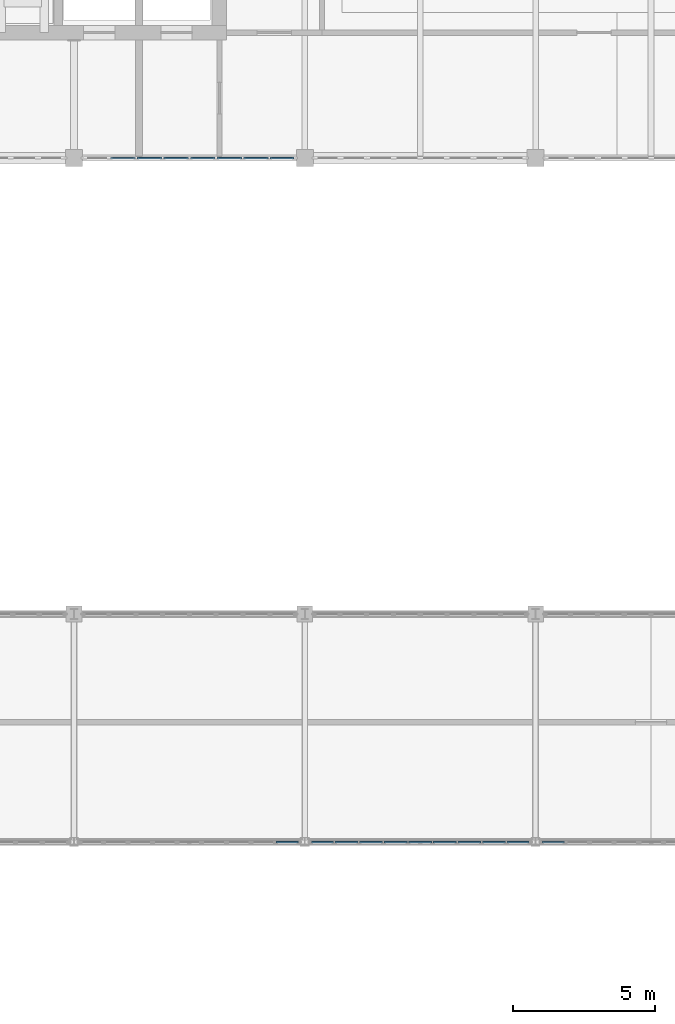
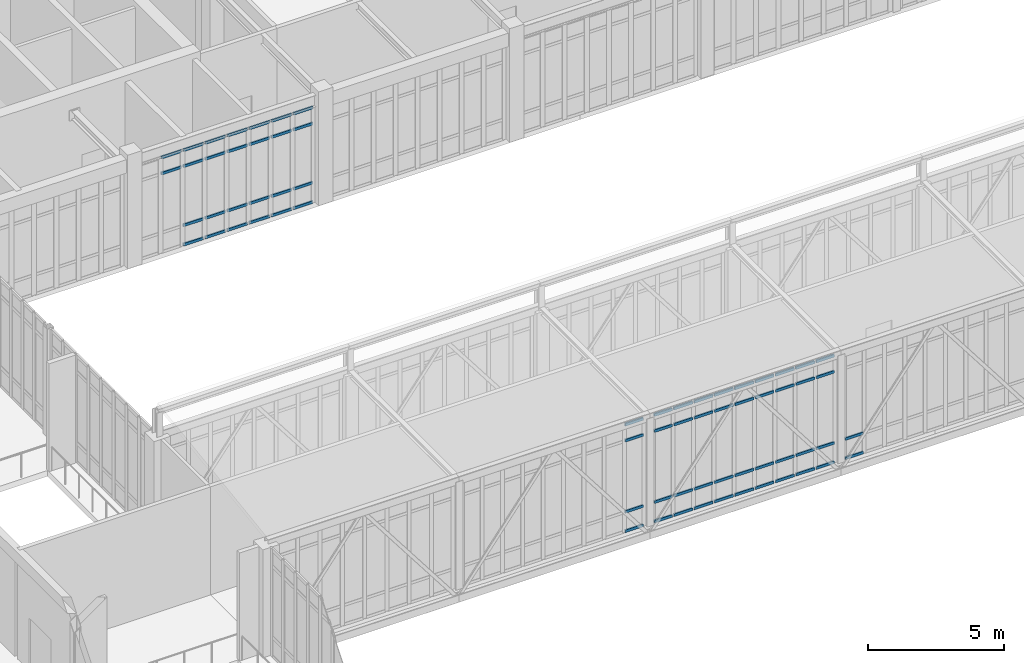
# One storey, part 56 of 107: 68 members, 4 elements without a shape of their own.
"""IFC4 building model written with IfcOpenShell, lengths in metres."""

from ifc_helpers import new_model, si_unit, direction, frame, origin, origin_2d, place, context, subcontext, project, spatial, rectangle, extrude, material, material_profile, profile_set, type_object, element, aggregate, save


model = new_model("IFC4")

# Units and contexts
model_context = context("Model", 3, precision=1e-05, world=origin(), true_north=direction((0.0, 1.0)))
body_context = subcontext(model_context, "Body", "Model", "MODEL_VIEW")
ifc_project = project(units=[si_unit("LENGTHUNIT", "METRE"), si_unit("AREAUNIT", "SQUARE_METRE"), si_unit("VOLUMEUNIT", "CUBIC_METRE"), si_unit("PLANEANGLEUNIT", "RADIAN"), si_unit("MASSUNIT", "GRAM", prefix="KILO")], contexts=[model_context])

# Site, building, storey
site_placement = place(None, origin())
site = spatial("IfcSite", under=ifc_project, at=site_placement, CompositionType="ELEMENT")
building_placement = place(site_placement, origin())
building = spatial("IfcBuilding", under=site, at=building_placement, Name="Tarnveldt Square Police Headquarters", CompositionType="ELEMENT")
storey_placement = place(building_placement, frame((0.0, 0.0, 14.699951171875)))
storey = spatial("IfcBuildingStorey", under=building, at=storey_placement, Name="L03", CompositionType="ELEMENT", Elevation=14.699951171875)

# Curtain wall, members
ifc_material_1 = material(Name="Triple-glazed low-e laminated vision glass", Category="glass")
curtain_wall_type_1 = type_object("IfcCurtainWallType", Name="CW-LB-747x430", PredefinedType="USERDEFINED", material=ifc_material_1)
curtain_wall_1_placement = place(storey_placement, origin())
curtain_wall_1 = element("IfcCurtainWall", 1, at=curtain_wall_1_placement, inside=storey, type_object=curtain_wall_type_1, Name="L03 Curtain Wall CW-L03-120", ObjectType="GLAZED CURTAIN WALL", PredefinedType="USERDEFINED")
ifc_material_2 = material(Name="Thermally broken anodised aluminium 6063-T6", Category="aluminium")
ifc_material_profile = material_profile(ifc_material_2, rectangle(XDim=0.06494140625, YDim=0.1201171875, at=origin_2d()), Name="CW-T65x120")
ifc_profile_set = profile_set([ifc_material_profile], Name="Thermally broken anodised aluminium 6063-T6")
member_type = type_object("IfcMemberType", Name="CWT-65x120", PredefinedType="USERDEFINED", material=ifc_profile_set)
member_1_placement = place(storey_placement, frame((57.986328125, 96.0, 3.549072265625), z_axis=(1.0, 0.0, 0.0), x_axis=(0.0, 1.0, 0.0)))
member_1 = element("IfcMember", 2, at=member_1_placement, type_object=member_type, Name="CW-LB71 transom 2.3", ObjectType="TRANSOM", PredefinedType="USERDEFINED", context=body_context, shape_type="SweptSolid", body=[
    extrude(rectangle(XDim=0.06494140625, YDim=0.1201171875, at=origin_2d()), origin(), (0.0, 0.0, 1.0), 0.858642578125),
])
member_2_placement = place(storey_placement, frame((57.986328125, 96.0, 4.2666015625), z_axis=(1.0, 0.0, 0.0), x_axis=(0.0, 1.0, 0.0)))
member_2 = element("IfcMember", 3, at=member_2_placement, type_object=member_type, Name="CW-LB71 transom 2.4", ObjectType="TRANSOM", PredefinedType="USERDEFINED", context=body_context, shape_type="SweptSolid", body=[
    extrude(rectangle(XDim=0.06494140625, YDim=0.1201171875, at=origin_2d()), origin(), (0.0, 0.0, 1.0), 0.858642578125),
])
member_3_placement = place(storey_placement, frame((58.919921875, 96.0, 0.032470703125), z_axis=(1.0, 0.0, 0.0), x_axis=(0.0, 1.0, 0.0)))
member_3 = element("IfcMember", 4, at=member_3_placement, type_object=member_type, Name="CW-LB71 transom 3.1", ObjectType="TRANSOM", PredefinedType="USERDEFINED", context=body_context, shape_type="SweptSolid", body=[
    extrude(rectangle(XDim=0.06494140625, YDim=0.1201171875, at=origin_2d()), origin(), (0.0, 0.0, 1.0), 0.85888671875),
])
member_4_placement = place(storey_placement, frame((58.919921875, 96.0, 0.900146484375), z_axis=(1.0, 0.0, 0.0), x_axis=(0.0, 1.0, 0.0)))
member_4 = element("IfcMember", 5, at=member_4_placement, type_object=member_type, Name="CW-LB71 transom 3.2", ObjectType="TRANSOM", PredefinedType="USERDEFINED", context=body_context, shape_type="SweptSolid", body=[
    extrude(rectangle(XDim=0.06494140625, YDim=0.1201171875, at=origin_2d()), origin(), (0.0, 0.0, 1.0), 0.85888671875),
])
member_5_placement = place(storey_placement, frame((58.919921875, 96.0, 3.549072265625), z_axis=(1.0, 0.0, 0.0), x_axis=(0.0, 1.0, 0.0)))
member_5 = element("IfcMember", 6, at=member_5_placement, type_object=member_type, Name="CW-LB71 transom 3.3", ObjectType="TRANSOM", PredefinedType="USERDEFINED", context=body_context, shape_type="SweptSolid", body=[
    extrude(rectangle(XDim=0.06494140625, YDim=0.1201171875, at=origin_2d()), origin(), (0.0, 0.0, 1.0), 0.85888671875),
])
member_6_placement = place(storey_placement, frame((58.919921875, 96.0, 4.2666015625), z_axis=(1.0, 0.0, 0.0), x_axis=(0.0, 1.0, 0.0)))
member_6 = element("IfcMember", 7, at=member_6_placement, type_object=member_type, Name="CW-LB71 transom 3.4", ObjectType="TRANSOM", PredefinedType="USERDEFINED", context=body_context, shape_type="SweptSolid", body=[
    extrude(rectangle(XDim=0.06494140625, YDim=0.1201171875, at=origin_2d()), origin(), (0.0, 0.0, 1.0), 0.85888671875),
])
member_7_placement = place(storey_placement, frame((59.853759765625, 96.0, 0.032470703125), z_axis=(1.0, 0.0, 0.0), x_axis=(0.0, 1.0, 0.0)))
member_7 = element("IfcMember", 8, at=member_7_placement, type_object=member_type, Name="CW-LB71 transom 4.1", ObjectType="TRANSOM", PredefinedType="USERDEFINED", context=body_context, shape_type="SweptSolid", body=[
    extrude(rectangle(XDim=0.06494140625, YDim=0.1201171875, at=origin_2d()), origin(), (0.0, 0.0, 1.0), 0.858642578125),
])
member_8_placement = place(storey_placement, frame((59.853759765625, 96.0, 0.900146484375), z_axis=(1.0, 0.0, 0.0), x_axis=(0.0, 1.0, 0.0)))
member_8 = element("IfcMember", 9, at=member_8_placement, type_object=member_type, Name="CW-LB71 transom 4.2", ObjectType="TRANSOM", PredefinedType="USERDEFINED", context=body_context, shape_type="SweptSolid", body=[
    extrude(rectangle(XDim=0.06494140625, YDim=0.1201171875, at=origin_2d()), origin(), (0.0, 0.0, 1.0), 0.858642578125),
])
member_9_placement = place(storey_placement, frame((59.853759765625, 96.0, 3.549072265625), z_axis=(1.0, 0.0, 0.0), x_axis=(0.0, 1.0, 0.0)))
member_9 = element("IfcMember", 10, at=member_9_placement, type_object=member_type, Name="CW-LB71 transom 4.3", ObjectType="TRANSOM", PredefinedType="USERDEFINED", context=body_context, shape_type="SweptSolid", body=[
    extrude(rectangle(XDim=0.06494140625, YDim=0.1201171875, at=origin_2d()), origin(), (0.0, 0.0, 1.0), 0.858642578125),
])
member_10_placement = place(storey_placement, frame((59.853759765625, 96.0, 4.2666015625), z_axis=(1.0, 0.0, 0.0), x_axis=(0.0, 1.0, 0.0)))
member_10 = element("IfcMember", 11, at=member_10_placement, type_object=member_type, Name="CW-LB71 transom 4.4", ObjectType="TRANSOM", PredefinedType="USERDEFINED", context=body_context, shape_type="SweptSolid", body=[
    extrude(rectangle(XDim=0.06494140625, YDim=0.1201171875, at=origin_2d()), origin(), (0.0, 0.0, 1.0), 0.858642578125),
])
member_11_placement = place(storey_placement, frame((60.78759765625, 96.0, 0.032470703125), z_axis=(1.0, 0.0, 0.0), x_axis=(0.0, 1.0, 0.0)))
member_11 = element("IfcMember", 12, at=member_11_placement, type_object=member_type, Name="CW-LB71 transom 5.1", ObjectType="TRANSOM", PredefinedType="USERDEFINED", context=body_context, shape_type="SweptSolid", body=[
    extrude(rectangle(XDim=0.06494140625, YDim=0.1201171875, at=origin_2d()), origin(), (0.0, 0.0, 1.0), 0.858642578125),
])
member_12_placement = place(storey_placement, frame((60.78759765625, 96.0, 0.900146484375), z_axis=(1.0, 0.0, 0.0), x_axis=(0.0, 1.0, 0.0)))
member_12 = element("IfcMember", 13, at=member_12_placement, type_object=member_type, Name="CW-LB71 transom 5.2", ObjectType="TRANSOM", PredefinedType="USERDEFINED", context=body_context, shape_type="SweptSolid", body=[
    extrude(rectangle(XDim=0.06494140625, YDim=0.1201171875, at=origin_2d()), origin(), (0.0, 0.0, 1.0), 0.858642578125),
])
member_13_placement = place(storey_placement, frame((60.78759765625, 96.0, 3.549072265625), z_axis=(1.0, 0.0, 0.0), x_axis=(0.0, 1.0, 0.0)))
member_13 = element("IfcMember", 14, at=member_13_placement, type_object=member_type, Name="CW-LB71 transom 5.3", ObjectType="TRANSOM", PredefinedType="USERDEFINED", context=body_context, shape_type="SweptSolid", body=[
    extrude(rectangle(XDim=0.06494140625, YDim=0.1201171875, at=origin_2d()), origin(), (0.0, 0.0, 1.0), 0.858642578125),
])
member_14_placement = place(storey_placement, frame((60.78759765625, 96.0, 4.2666015625), z_axis=(1.0, 0.0, 0.0), x_axis=(0.0, 1.0, 0.0)))
member_14 = element("IfcMember", 15, at=member_14_placement, type_object=member_type, Name="CW-LB71 transom 5.4", ObjectType="TRANSOM", PredefinedType="USERDEFINED", context=body_context, shape_type="SweptSolid", body=[
    extrude(rectangle(XDim=0.06494140625, YDim=0.1201171875, at=origin_2d()), origin(), (0.0, 0.0, 1.0), 0.858642578125),
])
member_15_placement = place(storey_placement, frame((61.72119140625, 96.0, 0.032470703125), z_axis=(1.0, 0.0, 0.0), x_axis=(0.0, 1.0, 0.0)))
member_15 = element("IfcMember", 16, at=member_15_placement, type_object=member_type, Name="CW-LB71 transom 6.1", ObjectType="TRANSOM", PredefinedType="USERDEFINED", context=body_context, shape_type="SweptSolid", body=[
    extrude(rectangle(XDim=0.06494140625, YDim=0.1201171875, at=origin_2d()), origin(), (0.0, 0.0, 1.0), 0.85888671875),
])
member_16_placement = place(storey_placement, frame((61.72119140625, 96.0, 0.900146484375), z_axis=(1.0, 0.0, 0.0), x_axis=(0.0, 1.0, 0.0)))
member_16 = element("IfcMember", 17, at=member_16_placement, type_object=member_type, Name="CW-LB71 transom 6.2", ObjectType="TRANSOM", PredefinedType="USERDEFINED", context=body_context, shape_type="SweptSolid", body=[
    extrude(rectangle(XDim=0.06494140625, YDim=0.1201171875, at=origin_2d()), origin(), (0.0, 0.0, 1.0), 0.85888671875),
])
member_17_placement = place(storey_placement, frame((61.72119140625, 96.0, 3.549072265625), z_axis=(1.0, 0.0, 0.0), x_axis=(0.0, 1.0, 0.0)))
member_17 = element("IfcMember", 18, at=member_17_placement, type_object=member_type, Name="CW-LB71 transom 6.3", ObjectType="TRANSOM", PredefinedType="USERDEFINED", context=body_context, shape_type="SweptSolid", body=[
    extrude(rectangle(XDim=0.06494140625, YDim=0.1201171875, at=origin_2d()), origin(), (0.0, 0.0, 1.0), 0.85888671875),
])
member_18_placement = place(storey_placement, frame((61.72119140625, 96.0, 4.2666015625), z_axis=(1.0, 0.0, 0.0), x_axis=(0.0, 1.0, 0.0)))
member_18 = element("IfcMember", 19, at=member_18_placement, type_object=member_type, Name="CW-LB71 transom 6.4", ObjectType="TRANSOM", PredefinedType="USERDEFINED", context=body_context, shape_type="SweptSolid", body=[
    extrude(rectangle(XDim=0.06494140625, YDim=0.1201171875, at=origin_2d()), origin(), (0.0, 0.0, 1.0), 0.85888671875),
])
member_19_placement = place(storey_placement, frame((62.655029296875, 96.0, 0.032470703125), z_axis=(1.0, 0.0, 0.0), x_axis=(0.0, 1.0, 0.0)))
member_19 = element("IfcMember", 20, at=member_19_placement, type_object=member_type, Name="CW-LB71 transom 7.1", ObjectType="TRANSOM", PredefinedType="USERDEFINED", context=body_context, shape_type="SweptSolid", body=[
    extrude(rectangle(XDim=0.06494140625, YDim=0.1201171875, at=origin_2d()), origin(), (0.0, 0.0, 1.0), 0.858642578125),
])
member_20_placement = place(storey_placement, frame((62.655029296875, 96.0, 0.900146484375), z_axis=(1.0, 0.0, 0.0), x_axis=(0.0, 1.0, 0.0)))
member_20 = element("IfcMember", 21, at=member_20_placement, type_object=member_type, Name="CW-LB71 transom 7.2", ObjectType="TRANSOM", PredefinedType="USERDEFINED", context=body_context, shape_type="SweptSolid", body=[
    extrude(rectangle(XDim=0.06494140625, YDim=0.1201171875, at=origin_2d()), origin(), (0.0, 0.0, 1.0), 0.858642578125),
])
member_21_placement = place(storey_placement, frame((62.655029296875, 96.0, 3.549072265625), z_axis=(1.0, 0.0, 0.0), x_axis=(0.0, 1.0, 0.0)))
member_21 = element("IfcMember", 22, at=member_21_placement, type_object=member_type, Name="CW-LB71 transom 7.3", ObjectType="TRANSOM", PredefinedType="USERDEFINED", context=body_context, shape_type="SweptSolid", body=[
    extrude(rectangle(XDim=0.06494140625, YDim=0.1201171875, at=origin_2d()), origin(), (0.0, 0.0, 1.0), 0.858642578125),
])
member_22_placement = place(storey_placement, frame((62.655029296875, 96.0, 4.2666015625), z_axis=(1.0, 0.0, 0.0), x_axis=(0.0, 1.0, 0.0)))
member_22 = element("IfcMember", 23, at=member_22_placement, type_object=member_type, Name="CW-LB71 transom 7.4", ObjectType="TRANSOM", PredefinedType="USERDEFINED", context=body_context, shape_type="SweptSolid", body=[
    extrude(rectangle(XDim=0.06494140625, YDim=0.1201171875, at=origin_2d()), origin(), (0.0, 0.0, 1.0), 0.858642578125),
])
member_23_placement = place(storey_placement, frame((63.5888671875, 96.0, 0.032470703125), z_axis=(1.0, 0.0, 0.0), x_axis=(0.0, 1.0, 0.0)))
member_23 = element("IfcMember", 24, at=member_23_placement, type_object=member_type, Name="CW-LB71 transom 8.1", ObjectType="TRANSOM", PredefinedType="USERDEFINED", context=body_context, shape_type="SweptSolid", body=[
    extrude(rectangle(XDim=0.06494140625, YDim=0.1201171875, at=origin_2d()), origin(), (0.0, 0.0, 1.0), 0.821044921875),
])
member_24_placement = place(storey_placement, frame((63.5888671875, 96.0, 0.900146484375), z_axis=(1.0, 0.0, 0.0), x_axis=(0.0, 1.0, 0.0)))
member_24 = element("IfcMember", 25, at=member_24_placement, type_object=member_type, Name="CW-LB71 transom 8.2", ObjectType="TRANSOM", PredefinedType="USERDEFINED", context=body_context, shape_type="SweptSolid", body=[
    extrude(rectangle(XDim=0.06494140625, YDim=0.1201171875, at=origin_2d()), origin(), (0.0, 0.0, 1.0), 0.821044921875),
])
member_25_placement = place(storey_placement, frame((63.5888671875, 96.0, 3.549072265625), z_axis=(1.0, 0.0, 0.0), x_axis=(0.0, 1.0, 0.0)))
member_25 = element("IfcMember", 26, at=member_25_placement, type_object=member_type, Name="CW-LB71 transom 8.3", ObjectType="TRANSOM", PredefinedType="USERDEFINED", context=body_context, shape_type="SweptSolid", body=[
    extrude(rectangle(XDim=0.06494140625, YDim=0.1201171875, at=origin_2d()), origin(), (0.0, 0.0, 1.0), 0.821044921875),
])
member_26_placement = place(storey_placement, frame((63.5888671875, 96.0, 4.2666015625), z_axis=(1.0, 0.0, 0.0), x_axis=(0.0, 1.0, 0.0)))
member_26 = element("IfcMember", 27, at=member_26_placement, type_object=member_type, Name="CW-LB71 transom 8.4", ObjectType="TRANSOM", PredefinedType="USERDEFINED", context=body_context, shape_type="SweptSolid", body=[
    extrude(rectangle(XDim=0.06494140625, YDim=0.1201171875, at=origin_2d()), origin(), (0.0, 0.0, 1.0), 0.821044921875),
])
aggregate(curtain_wall_1, [member_1, member_2, member_3, member_4, member_5, member_6, member_7, member_8, member_9, member_10, member_11, member_12, member_13, member_14, member_15, member_16, member_17, member_18, member_19, member_20, member_21, member_22, member_23, member_24, member_25, member_26])

curtain_wall_type_2 = type_object("IfcCurtainWallType", Name="CW-SB-776x484", PredefinedType="USERDEFINED", material=ifc_material_1)
curtain_wall_2_placement = place(storey_placement, origin())
curtain_wall_2 = element("IfcCurtainWall", 28, at=curtain_wall_2_placement, inside=storey, type_object=curtain_wall_type_2, Name="L03 Curtain Wall CW-L03-153", ObjectType="GLAZED CURTAIN WALL", PredefinedType="USERDEFINED")
member_27_placement = place(storey_placement, frame((63.801025390625, 72.0, 0.032470703125), z_axis=(1.0, 0.0, 0.0), x_axis=(0.0, 1.0, 0.0)))
member_27 = element("IfcMember", 29, at=member_27_placement, type_object=member_type, Name="CW-SB90 transom 9.1", ObjectType="TRANSOM", PredefinedType="USERDEFINED", context=body_context, shape_type="SweptSolid", body=[
    extrude(rectangle(XDim=0.06494140625, YDim=0.1201171875, at=origin_2d()), origin(), (0.0, 0.0, 1.0), 0.764892578125),
])
member_28_placement = place(storey_placement, frame((63.801025390625, 72.0, 0.900146484375), z_axis=(1.0, 0.0, 0.0), x_axis=(0.0, 1.0, 0.0)))
member_28 = element("IfcMember", 30, at=member_28_placement, type_object=member_type, Name="CW-SB90 transom 9.2", ObjectType="TRANSOM", PredefinedType="USERDEFINED", context=body_context, shape_type="SweptSolid", body=[
    extrude(rectangle(XDim=0.06494140625, YDim=0.1201171875, at=origin_2d()), origin(), (0.0, 0.0, 1.0), 0.764892578125),
])
member_29_placement = place(storey_placement, frame((63.801025390625, 72.0, 4.090087890625), z_axis=(1.0, 0.0, 0.0), x_axis=(0.0, 1.0, 0.0)))
member_29 = element("IfcMember", 31, at=member_29_placement, type_object=member_type, Name="CW-SB90 transom 9.3", ObjectType="TRANSOM", PredefinedType="USERDEFINED", context=body_context, shape_type="SweptSolid", body=[
    extrude(rectangle(XDim=0.06494140625, YDim=0.1201171875, at=origin_2d()), origin(), (0.0, 0.0, 1.0), 0.764892578125),
])
member_30_placement = place(storey_placement, frame((63.801025390625, 72.0, 4.8076171875), z_axis=(1.0, 0.0, 0.0), x_axis=(0.0, 1.0, 0.0)))
member_30 = element("IfcMember", 32, at=member_30_placement, type_object=member_type, Name="CW-SB90 transom 9.4", ObjectType="TRANSOM", PredefinedType="USERDEFINED", context=body_context, shape_type="SweptSolid", body=[
    extrude(rectangle(XDim=0.06494140625, YDim=0.1201171875, at=origin_2d()), origin(), (0.0, 0.0, 1.0), 0.764892578125),
])
aggregate(curtain_wall_2, [member_27, member_28, member_29, member_30])

curtain_wall_3_placement = place(storey_placement, origin())
curtain_wall_3 = element("IfcCurtainWall", 33, at=curtain_wall_3_placement, inside=storey, type_object=curtain_wall_type_2, Name="L03 Curtain Wall CW-L03-154", ObjectType="GLAZED CURTAIN WALL", PredefinedType="USERDEFINED")
member_31_placement = place(storey_placement, frame((65.033935546875, 72.0, 0.032470703125), z_axis=(1.0, 0.0, 0.0), x_axis=(0.0, 1.0, 0.0)))
member_31 = element("IfcMember", 34, at=member_31_placement, type_object=member_type, Name="CW-SB90 transom 1.1", ObjectType="TRANSOM", PredefinedType="USERDEFINED", context=body_context, shape_type="SweptSolid", body=[
    extrude(rectangle(XDim=0.06494140625, YDim=0.1201171875, at=origin_2d()), origin(), (0.0, 0.0, 1.0), 0.764892578125),
])
member_32_placement = place(storey_placement, frame((65.033935546875, 72.0, 0.900146484375), z_axis=(1.0, 0.0, 0.0), x_axis=(0.0, 1.0, 0.0)))
member_32 = element("IfcMember", 35, at=member_32_placement, type_object=member_type, Name="CW-SB90 transom 1.2", ObjectType="TRANSOM", PredefinedType="USERDEFINED", context=body_context, shape_type="SweptSolid", body=[
    extrude(rectangle(XDim=0.06494140625, YDim=0.1201171875, at=origin_2d()), origin(), (0.0, 0.0, 1.0), 0.764892578125),
])
member_33_placement = place(storey_placement, frame((65.033935546875, 72.0, 4.090087890625), z_axis=(1.0, 0.0, 0.0), x_axis=(0.0, 1.0, 0.0)))
member_33 = element("IfcMember", 36, at=member_33_placement, type_object=member_type, Name="CW-SB90 transom 1.3", ObjectType="TRANSOM", PredefinedType="USERDEFINED", context=body_context, shape_type="SweptSolid", body=[
    extrude(rectangle(XDim=0.06494140625, YDim=0.1201171875, at=origin_2d()), origin(), (0.0, 0.0, 1.0), 0.764892578125),
])
member_34_placement = place(storey_placement, frame((65.033935546875, 72.0, 4.8076171875), z_axis=(1.0, 0.0, 0.0), x_axis=(0.0, 1.0, 0.0)))
member_34 = element("IfcMember", 37, at=member_34_placement, type_object=member_type, Name="CW-SB90 transom 1.4", ObjectType="TRANSOM", PredefinedType="USERDEFINED", context=body_context, shape_type="SweptSolid", body=[
    extrude(rectangle(XDim=0.06494140625, YDim=0.1201171875, at=origin_2d()), origin(), (0.0, 0.0, 1.0), 0.764892578125),
])
member_35_placement = place(storey_placement, frame((65.864013671875, 72.0, 0.032470703125), z_axis=(1.0, 0.0, 0.0), x_axis=(0.0, 1.0, 0.0)))
member_35 = element("IfcMember", 38, at=member_35_placement, type_object=member_type, Name="CW-SB90 transom 2.1", ObjectType="TRANSOM", PredefinedType="USERDEFINED", context=body_context, shape_type="SweptSolid", body=[
    extrude(rectangle(XDim=0.06494140625, YDim=0.1201171875, at=origin_2d()), origin(), (0.0, 0.0, 1.0), 0.79736328125),
])
member_36_placement = place(storey_placement, frame((65.864013671875, 72.0, 0.900146484375), z_axis=(1.0, 0.0, 0.0), x_axis=(0.0, 1.0, 0.0)))
member_36 = element("IfcMember", 39, at=member_36_placement, type_object=member_type, Name="CW-SB90 transom 2.2", ObjectType="TRANSOM", PredefinedType="USERDEFINED", context=body_context, shape_type="SweptSolid", body=[
    extrude(rectangle(XDim=0.06494140625, YDim=0.1201171875, at=origin_2d()), origin(), (0.0, 0.0, 1.0), 0.79736328125),
])
member_37_placement = place(storey_placement, frame((65.864013671875, 72.0, 4.090087890625), z_axis=(1.0, 0.0, 0.0), x_axis=(0.0, 1.0, 0.0)))
member_37 = element("IfcMember", 40, at=member_37_placement, type_object=member_type, Name="CW-SB90 transom 2.3", ObjectType="TRANSOM", PredefinedType="USERDEFINED", context=body_context, shape_type="SweptSolid", body=[
    extrude(rectangle(XDim=0.06494140625, YDim=0.1201171875, at=origin_2d()), origin(), (0.0, 0.0, 1.0), 0.79736328125),
])
member_38_placement = place(storey_placement, frame((65.864013671875, 72.0, 4.8076171875), z_axis=(1.0, 0.0, 0.0), x_axis=(0.0, 1.0, 0.0)))
member_38 = element("IfcMember", 41, at=member_38_placement, type_object=member_type, Name="CW-SB90 transom 2.4", ObjectType="TRANSOM", PredefinedType="USERDEFINED", context=body_context, shape_type="SweptSolid", body=[
    extrude(rectangle(XDim=0.06494140625, YDim=0.1201171875, at=origin_2d()), origin(), (0.0, 0.0, 1.0), 0.79736328125),
])
member_39_placement = place(storey_placement, frame((66.726318359375, 72.0, 0.032470703125), z_axis=(1.0, 0.0, 0.0), x_axis=(0.0, 1.0, 0.0)))
member_39 = element("IfcMember", 42, at=member_39_placement, type_object=member_type, Name="CW-SB90 transom 3.1", ObjectType="TRANSOM", PredefinedType="USERDEFINED", context=body_context, shape_type="SweptSolid", body=[
    extrude(rectangle(XDim=0.06494140625, YDim=0.1201171875, at=origin_2d()), origin(), (0.0, 0.0, 1.0), 0.797607421875),
])
member_40_placement = place(storey_placement, frame((66.726318359375, 72.0, 0.900146484375), z_axis=(1.0, 0.0, 0.0), x_axis=(0.0, 1.0, 0.0)))
member_40 = element("IfcMember", 43, at=member_40_placement, type_object=member_type, Name="CW-SB90 transom 3.2", ObjectType="TRANSOM", PredefinedType="USERDEFINED", context=body_context, shape_type="SweptSolid", body=[
    extrude(rectangle(XDim=0.06494140625, YDim=0.1201171875, at=origin_2d()), origin(), (0.0, 0.0, 1.0), 0.797607421875),
])
member_41_placement = place(storey_placement, frame((66.726318359375, 72.0, 4.090087890625), z_axis=(1.0, 0.0, 0.0), x_axis=(0.0, 1.0, 0.0)))
member_41 = element("IfcMember", 44, at=member_41_placement, type_object=member_type, Name="CW-SB90 transom 3.3", ObjectType="TRANSOM", PredefinedType="USERDEFINED", context=body_context, shape_type="SweptSolid", body=[
    extrude(rectangle(XDim=0.06494140625, YDim=0.1201171875, at=origin_2d()), origin(), (0.0, 0.0, 1.0), 0.797607421875),
])
member_42_placement = place(storey_placement, frame((66.726318359375, 72.0, 4.8076171875), z_axis=(1.0, 0.0, 0.0), x_axis=(0.0, 1.0, 0.0)))
member_42 = element("IfcMember", 45, at=member_42_placement, type_object=member_type, Name="CW-SB90 transom 3.4", ObjectType="TRANSOM", PredefinedType="USERDEFINED", context=body_context, shape_type="SweptSolid", body=[
    extrude(rectangle(XDim=0.06494140625, YDim=0.1201171875, at=origin_2d()), origin(), (0.0, 0.0, 1.0), 0.797607421875),
])
member_43_placement = place(storey_placement, frame((67.5888671875, 72.0, 0.032470703125), z_axis=(1.0, 0.0, 0.0), x_axis=(0.0, 1.0, 0.0)))
member_43 = element("IfcMember", 46, at=member_43_placement, type_object=member_type, Name="CW-SB90 transom 4.1", ObjectType="TRANSOM", PredefinedType="USERDEFINED", context=body_context, shape_type="SweptSolid", body=[
    extrude(rectangle(XDim=0.06494140625, YDim=0.1201171875, at=origin_2d()), origin(), (0.0, 0.0, 1.0), 0.79736328125),
])
member_44_placement = place(storey_placement, frame((67.5888671875, 72.0, 0.900146484375), z_axis=(1.0, 0.0, 0.0), x_axis=(0.0, 1.0, 0.0)))
member_44 = element("IfcMember", 47, at=member_44_placement, type_object=member_type, Name="CW-SB90 transom 4.2", ObjectType="TRANSOM", PredefinedType="USERDEFINED", context=body_context, shape_type="SweptSolid", body=[
    extrude(rectangle(XDim=0.06494140625, YDim=0.1201171875, at=origin_2d()), origin(), (0.0, 0.0, 1.0), 0.79736328125),
])
member_45_placement = place(storey_placement, frame((67.5888671875, 72.0, 4.090087890625), z_axis=(1.0, 0.0, 0.0), x_axis=(0.0, 1.0, 0.0)))
member_45 = element("IfcMember", 48, at=member_45_placement, type_object=member_type, Name="CW-SB90 transom 4.3", ObjectType="TRANSOM", PredefinedType="USERDEFINED", context=body_context, shape_type="SweptSolid", body=[
    extrude(rectangle(XDim=0.06494140625, YDim=0.1201171875, at=origin_2d()), origin(), (0.0, 0.0, 1.0), 0.79736328125),
])
member_46_placement = place(storey_placement, frame((67.5888671875, 72.0, 4.8076171875), z_axis=(1.0, 0.0, 0.0), x_axis=(0.0, 1.0, 0.0)))
member_46 = element("IfcMember", 49, at=member_46_placement, type_object=member_type, Name="CW-SB90 transom 4.4", ObjectType="TRANSOM", PredefinedType="USERDEFINED", context=body_context, shape_type="SweptSolid", body=[
    extrude(rectangle(XDim=0.06494140625, YDim=0.1201171875, at=origin_2d()), origin(), (0.0, 0.0, 1.0), 0.79736328125),
])
member_47_placement = place(storey_placement, frame((68.451171875, 72.0, 0.032470703125), z_axis=(1.0, 0.0, 0.0), x_axis=(0.0, 1.0, 0.0)))
member_47 = element("IfcMember", 50, at=member_47_placement, type_object=member_type, Name="CW-SB90 transom 5.1", ObjectType="TRANSOM", PredefinedType="USERDEFINED", context=body_context, shape_type="SweptSolid", body=[
    extrude(rectangle(XDim=0.06494140625, YDim=0.1201171875, at=origin_2d()), origin(), (0.0, 0.0, 1.0), 0.797607421875),
])
member_48_placement = place(storey_placement, frame((68.451171875, 72.0, 0.900146484375), z_axis=(1.0, 0.0, 0.0), x_axis=(0.0, 1.0, 0.0)))
member_48 = element("IfcMember", 51, at=member_48_placement, type_object=member_type, Name="CW-SB90 transom 5.2", ObjectType="TRANSOM", PredefinedType="USERDEFINED", context=body_context, shape_type="SweptSolid", body=[
    extrude(rectangle(XDim=0.06494140625, YDim=0.1201171875, at=origin_2d()), origin(), (0.0, 0.0, 1.0), 0.797607421875),
])
member_49_placement = place(storey_placement, frame((68.451171875, 72.0, 4.090087890625), z_axis=(1.0, 0.0, 0.0), x_axis=(0.0, 1.0, 0.0)))
member_49 = element("IfcMember", 52, at=member_49_placement, type_object=member_type, Name="CW-SB90 transom 5.3", ObjectType="TRANSOM", PredefinedType="USERDEFINED", context=body_context, shape_type="SweptSolid", body=[
    extrude(rectangle(XDim=0.06494140625, YDim=0.1201171875, at=origin_2d()), origin(), (0.0, 0.0, 1.0), 0.797607421875),
])
member_50_placement = place(storey_placement, frame((68.451171875, 72.0, 4.8076171875), z_axis=(1.0, 0.0, 0.0), x_axis=(0.0, 1.0, 0.0)))
member_50 = element("IfcMember", 53, at=member_50_placement, type_object=member_type, Name="CW-SB90 transom 5.4", ObjectType="TRANSOM", PredefinedType="USERDEFINED", context=body_context, shape_type="SweptSolid", body=[
    extrude(rectangle(XDim=0.06494140625, YDim=0.1201171875, at=origin_2d()), origin(), (0.0, 0.0, 1.0), 0.797607421875),
])
member_51_placement = place(storey_placement, frame((69.313720703125, 72.0, 0.032470703125), z_axis=(1.0, 0.0, 0.0), x_axis=(0.0, 1.0, 0.0)))
member_51 = element("IfcMember", 54, at=member_51_placement, type_object=member_type, Name="CW-SB90 transom 6.1", ObjectType="TRANSOM", PredefinedType="USERDEFINED", context=body_context, shape_type="SweptSolid", body=[
    extrude(rectangle(XDim=0.06494140625, YDim=0.1201171875, at=origin_2d()), origin(), (0.0, 0.0, 1.0), 0.79736328125),
])
member_52_placement = place(storey_placement, frame((69.313720703125, 72.0, 0.900146484375), z_axis=(1.0, 0.0, 0.0), x_axis=(0.0, 1.0, 0.0)))
member_52 = element("IfcMember", 55, at=member_52_placement, type_object=member_type, Name="CW-SB90 transom 6.2", ObjectType="TRANSOM", PredefinedType="USERDEFINED", context=body_context, shape_type="SweptSolid", body=[
    extrude(rectangle(XDim=0.06494140625, YDim=0.1201171875, at=origin_2d()), origin(), (0.0, 0.0, 1.0), 0.79736328125),
])
member_53_placement = place(storey_placement, frame((69.313720703125, 72.0, 4.090087890625), z_axis=(1.0, 0.0, 0.0), x_axis=(0.0, 1.0, 0.0)))
member_53 = element("IfcMember", 56, at=member_53_placement, type_object=member_type, Name="CW-SB90 transom 6.3", ObjectType="TRANSOM", PredefinedType="USERDEFINED", context=body_context, shape_type="SweptSolid", body=[
    extrude(rectangle(XDim=0.06494140625, YDim=0.1201171875, at=origin_2d()), origin(), (0.0, 0.0, 1.0), 0.79736328125),
])
member_54_placement = place(storey_placement, frame((69.313720703125, 72.0, 4.8076171875), z_axis=(1.0, 0.0, 0.0), x_axis=(0.0, 1.0, 0.0)))
member_54 = element("IfcMember", 57, at=member_54_placement, type_object=member_type, Name="CW-SB90 transom 6.4", ObjectType="TRANSOM", PredefinedType="USERDEFINED", context=body_context, shape_type="SweptSolid", body=[
    extrude(rectangle(XDim=0.06494140625, YDim=0.1201171875, at=origin_2d()), origin(), (0.0, 0.0, 1.0), 0.79736328125),
])
member_55_placement = place(storey_placement, frame((70.17626953125, 72.0, 0.032470703125), z_axis=(1.0, 0.0, 0.0), x_axis=(0.0, 1.0, 0.0)))
member_55 = element("IfcMember", 58, at=member_55_placement, type_object=member_type, Name="CW-SB90 transom 7.1", ObjectType="TRANSOM", PredefinedType="USERDEFINED", context=body_context, shape_type="SweptSolid", body=[
    extrude(rectangle(XDim=0.06494140625, YDim=0.1201171875, at=origin_2d()), origin(), (0.0, 0.0, 1.0), 0.79736328125),
])
member_56_placement = place(storey_placement, frame((70.17626953125, 72.0, 0.900146484375), z_axis=(1.0, 0.0, 0.0), x_axis=(0.0, 1.0, 0.0)))
member_56 = element("IfcMember", 59, at=member_56_placement, type_object=member_type, Name="CW-SB90 transom 7.2", ObjectType="TRANSOM", PredefinedType="USERDEFINED", context=body_context, shape_type="SweptSolid", body=[
    extrude(rectangle(XDim=0.06494140625, YDim=0.1201171875, at=origin_2d()), origin(), (0.0, 0.0, 1.0), 0.79736328125),
])
member_57_placement = place(storey_placement, frame((70.17626953125, 72.0, 4.090087890625), z_axis=(1.0, 0.0, 0.0), x_axis=(0.0, 1.0, 0.0)))
member_57 = element("IfcMember", 60, at=member_57_placement, type_object=member_type, Name="CW-SB90 transom 7.3", ObjectType="TRANSOM", PredefinedType="USERDEFINED", context=body_context, shape_type="SweptSolid", body=[
    extrude(rectangle(XDim=0.06494140625, YDim=0.1201171875, at=origin_2d()), origin(), (0.0, 0.0, 1.0), 0.79736328125),
])
member_58_placement = place(storey_placement, frame((70.17626953125, 72.0, 4.8076171875), z_axis=(1.0, 0.0, 0.0), x_axis=(0.0, 1.0, 0.0)))
member_58 = element("IfcMember", 61, at=member_58_placement, type_object=member_type, Name="CW-SB90 transom 7.4", ObjectType="TRANSOM", PredefinedType="USERDEFINED", context=body_context, shape_type="SweptSolid", body=[
    extrude(rectangle(XDim=0.06494140625, YDim=0.1201171875, at=origin_2d()), origin(), (0.0, 0.0, 1.0), 0.79736328125),
])
member_59_placement = place(storey_placement, frame((71.03857421875, 72.0, 0.032470703125), z_axis=(1.0, 0.0, 0.0), x_axis=(0.0, 1.0, 0.0)))
member_59 = element("IfcMember", 62, at=member_59_placement, type_object=member_type, Name="CW-SB90 transom 8.1", ObjectType="TRANSOM", PredefinedType="USERDEFINED", context=body_context, shape_type="SweptSolid", body=[
    extrude(rectangle(XDim=0.06494140625, YDim=0.1201171875, at=origin_2d()), origin(), (0.0, 0.0, 1.0), 0.79736328125),
])
member_60_placement = place(storey_placement, frame((71.03857421875, 72.0, 0.900146484375), z_axis=(1.0, 0.0, 0.0), x_axis=(0.0, 1.0, 0.0)))
member_60 = element("IfcMember", 63, at=member_60_placement, type_object=member_type, Name="CW-SB90 transom 8.2", ObjectType="TRANSOM", PredefinedType="USERDEFINED", context=body_context, shape_type="SweptSolid", body=[
    extrude(rectangle(XDim=0.06494140625, YDim=0.1201171875, at=origin_2d()), origin(), (0.0, 0.0, 1.0), 0.79736328125),
])
member_61_placement = place(storey_placement, frame((71.03857421875, 72.0, 4.090087890625), z_axis=(1.0, 0.0, 0.0), x_axis=(0.0, 1.0, 0.0)))
member_61 = element("IfcMember", 64, at=member_61_placement, type_object=member_type, Name="CW-SB90 transom 8.3", ObjectType="TRANSOM", PredefinedType="USERDEFINED", context=body_context, shape_type="SweptSolid", body=[
    extrude(rectangle(XDim=0.06494140625, YDim=0.1201171875, at=origin_2d()), origin(), (0.0, 0.0, 1.0), 0.79736328125),
])
member_62_placement = place(storey_placement, frame((71.03857421875, 72.0, 4.8076171875), z_axis=(1.0, 0.0, 0.0), x_axis=(0.0, 1.0, 0.0)))
member_62 = element("IfcMember", 65, at=member_62_placement, type_object=member_type, Name="CW-SB90 transom 8.4", ObjectType="TRANSOM", PredefinedType="USERDEFINED", context=body_context, shape_type="SweptSolid", body=[
    extrude(rectangle(XDim=0.06494140625, YDim=0.1201171875, at=origin_2d()), origin(), (0.0, 0.0, 1.0), 0.79736328125),
])
member_63_placement = place(storey_placement, frame((71.901123046875, 72.0, 0.032470703125), z_axis=(1.0, 0.0, 0.0), x_axis=(0.0, 1.0, 0.0)))
member_63 = element("IfcMember", 66, at=member_63_placement, type_object=member_type, Name="CW-SB90 transom 9.1", ObjectType="TRANSOM", PredefinedType="USERDEFINED", context=body_context, shape_type="SweptSolid", body=[
    extrude(rectangle(XDim=0.06494140625, YDim=0.1201171875, at=origin_2d()), origin(), (0.0, 0.0, 1.0), 0.764892578125),
])
member_64_placement = place(storey_placement, frame((71.901123046875, 72.0, 0.900146484375), z_axis=(1.0, 0.0, 0.0), x_axis=(0.0, 1.0, 0.0)))
member_64 = element("IfcMember", 67, at=member_64_placement, type_object=member_type, Name="CW-SB90 transom 9.2", ObjectType="TRANSOM", PredefinedType="USERDEFINED", context=body_context, shape_type="SweptSolid", body=[
    extrude(rectangle(XDim=0.06494140625, YDim=0.1201171875, at=origin_2d()), origin(), (0.0, 0.0, 1.0), 0.764892578125),
])
member_65_placement = place(storey_placement, frame((71.901123046875, 72.0, 4.090087890625), z_axis=(1.0, 0.0, 0.0), x_axis=(0.0, 1.0, 0.0)))
member_65 = element("IfcMember", 68, at=member_65_placement, type_object=member_type, Name="CW-SB90 transom 9.3", ObjectType="TRANSOM", PredefinedType="USERDEFINED", context=body_context, shape_type="SweptSolid", body=[
    extrude(rectangle(XDim=0.06494140625, YDim=0.1201171875, at=origin_2d()), origin(), (0.0, 0.0, 1.0), 0.764892578125),
])
member_66_placement = place(storey_placement, frame((71.901123046875, 72.0, 4.8076171875), z_axis=(1.0, 0.0, 0.0), x_axis=(0.0, 1.0, 0.0)))
member_66 = element("IfcMember", 69, at=member_66_placement, type_object=member_type, Name="CW-SB90 transom 9.4", ObjectType="TRANSOM", PredefinedType="USERDEFINED", context=body_context, shape_type="SweptSolid", body=[
    extrude(rectangle(XDim=0.06494140625, YDim=0.1201171875, at=origin_2d()), origin(), (0.0, 0.0, 1.0), 0.764892578125),
])
aggregate(curtain_wall_3, [member_31, member_32, member_33, member_34, member_35, member_36, member_37, member_38, member_39, member_40, member_41, member_42, member_43, member_44, member_45, member_46, member_47, member_48, member_49, member_50, member_51, member_52, member_53, member_54, member_55, member_56, member_57, member_58, member_59, member_60, member_61, member_62, member_63, member_64, member_65, member_66])

curtain_wall_4_placement = place(storey_placement, origin())
curtain_wall_4 = element("IfcCurtainWall", 70, at=curtain_wall_4_placement, inside=storey, type_object=curtain_wall_type_2, Name="L03 Curtain Wall CW-L03-155", ObjectType="GLAZED CURTAIN WALL", PredefinedType="USERDEFINED")
member_67_placement = place(storey_placement, frame((73.134033203125, 72.0, 0.032470703125), z_axis=(1.0, 0.0, 0.0), x_axis=(0.0, 1.0, 0.0)))
member_67 = element("IfcMember", 71, at=member_67_placement, type_object=member_type, Name="CW-SB90 transom 1.1", ObjectType="TRANSOM", PredefinedType="USERDEFINED", context=body_context, shape_type="SweptSolid", body=[
    extrude(rectangle(XDim=0.06494140625, YDim=0.1201171875, at=origin_2d()), origin(), (0.0, 0.0, 1.0), 0.764892578125),
])
member_68_placement = place(storey_placement, frame((73.134033203125, 72.0, 0.900146484375), z_axis=(1.0, 0.0, 0.0), x_axis=(0.0, 1.0, 0.0)))
member_68 = element("IfcMember", 72, at=member_68_placement, type_object=member_type, Name="CW-SB90 transom 1.2", ObjectType="TRANSOM", PredefinedType="USERDEFINED", context=body_context, shape_type="SweptSolid", body=[
    extrude(rectangle(XDim=0.06494140625, YDim=0.1201171875, at=origin_2d()), origin(), (0.0, 0.0, 1.0), 0.764892578125),
])
aggregate(curtain_wall_4, [member_67, member_68])

save(model, "model.ifc")
